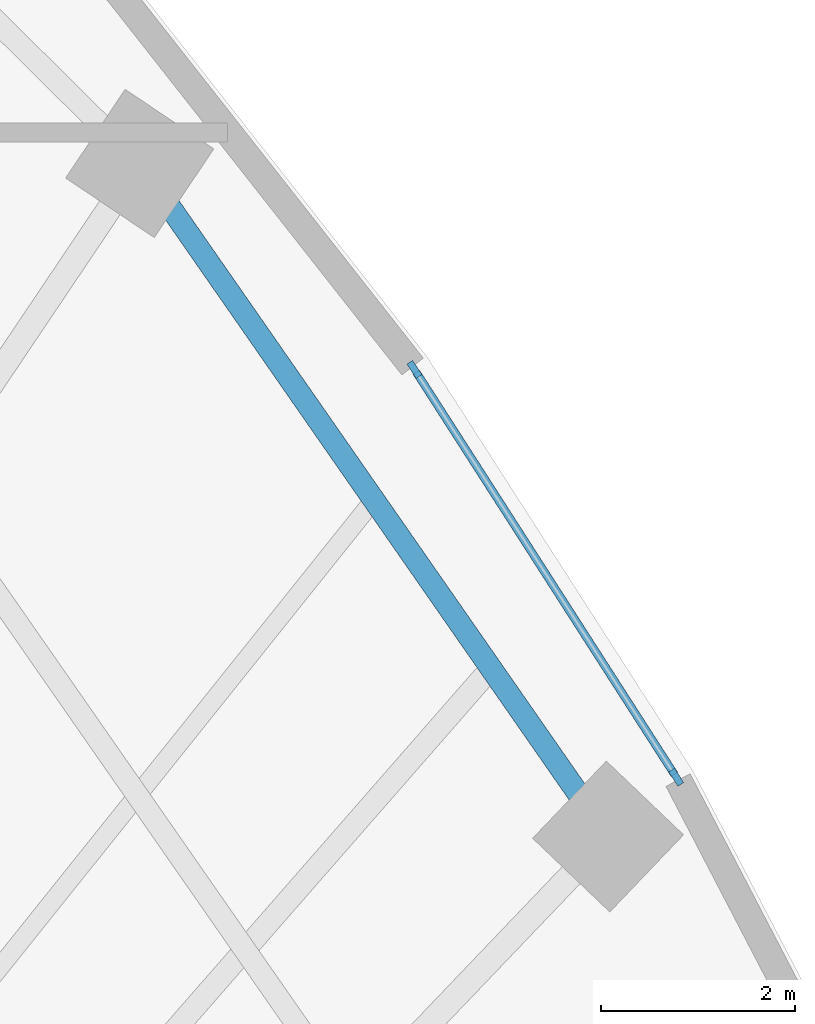
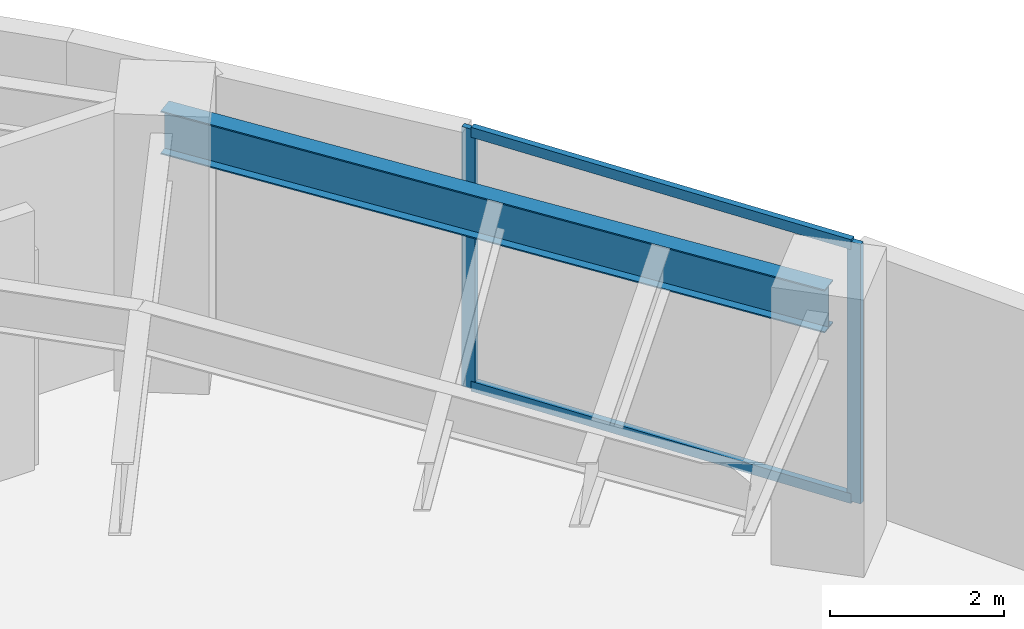
# One storey, part 6 of 13: 4 members, 1 beam, 1 element without a shape of its own.
"""IFC4 building model written with IfcOpenShell, lengths in metres."""

import ifcopenshell
import ifcopenshell.guid

model = None  # the IFC model being written
_history = None  # IfcOwnerHistory: only IFC2X3 demands one
_inside = {}  # id of a spatial element -> (the spatial element, [elements in it])
_under = {}  # id of a project, library or spatial element -> (it, [spatial elements below it])
_declared = {}  # id of a project -> (the project, [libraries it declares])
_typed = {}  # id of a type object -> (the type object, [elements of that type])
_made_of = {}  # id of a material, layer set ... -> (it, [elements and type objects made of it])


def new_model(schema):
    """Start an empty IFC model of exactly this schema.

    Asked for "IFC4X3", IfcOpenShell would pick the latest addendum, in which some entities
    have other attributes; the version numbers below select the first issue.
    IFC2X3 requires an IfcOwnerHistory on every rooted entity: one is made here for all.
    """
    global model, _history
    if schema == "IFC4X3":
        model = ifcopenshell.file(schema_version=(4, 3, 0, 0))
    else:
        model = ifcopenshell.file(schema=schema)
    _inside.clear()
    _under.clear()
    _declared.clear()
    _typed.clear()
    _made_of.clear()
    _history = None
    if model.schema == "IFC2X3":
        org = make("IfcOrganization", Name="unknown")
        user = make(
            "IfcPersonAndOrganization",
            ThePerson=make("IfcPerson", FamilyName="unknown"),
            TheOrganization=org,
        )
        app = make(
            "IfcApplication",
            ApplicationDeveloper=org,
            Version="unknown",
            ApplicationFullName="unknown",
            ApplicationIdentifier="unknown",
        )
        _history = make(
            "IfcOwnerHistory",
            OwningUser=user,
            OwningApplication=app,
            ChangeAction="ADDED",
            CreationDate=0,
        )
    return model


def make(cls, **values):
    """One entity of the class cls with the attributes given. An attribute that is None is left unset."""
    return model.create_entity(
        cls, **{name: value for name, value in values.items() if value is not None}
    )


def rooted(cls, **values):
    """An entity with a GlobalId (a new one), such as an element, a storey or a relation."""
    return make(cls, GlobalId=ifcopenshell.guid.new(), OwnerHistory=_history, **values)


def si_unit(unit_type, name, prefix=None):
    """IfcSIUnit, for example si_unit("LENGTHUNIT", "METRE", prefix="MILLI")."""
    return make("IfcSIUnit", UnitType=unit_type, Prefix=prefix, Name=name)


def assignment(units):
    """IfcUnitAssignment: the units of a project."""
    return None if units is None else make("IfcUnitAssignment", Units=units)


def point(xyz):
    """IfcCartesianPoint."""
    return None if xyz is None else make("IfcCartesianPoint", Coordinates=xyz)


def direction(xyz):
    """IfcDirection."""
    return None if xyz is None else make("IfcDirection", DirectionRatios=xyz)


def frame(location, z_axis=None, x_axis=None):
    """IfcAxis2Placement3D, a coordinate frame: its origin and axes. An axis left out is left unset."""
    return make(
        "IfcAxis2Placement3D",
        Location=point(location),
        Axis=direction(z_axis),
        RefDirection=direction(x_axis),
    )


def frame_2d(location, x_axis=None):
    """IfcAxis2Placement2D, a coordinate frame in the plane: its origin and x axis."""
    return make(
        "IfcAxis2Placement2D", Location=point(location), RefDirection=direction(x_axis)
    )


def origin():
    """The frame at (0, 0, 0) with its axes left unset."""
    return frame((0.0, 0.0, 0.0))


def origin_2d():
    """The frame at (0, 0) in the plane with its x axis left unset."""
    return frame_2d((0.0, 0.0))


def place(relative_to, where):
    """IfcLocalPlacement: puts the frame where relative to a parent placement (None: the world)."""
    return make(
        "IfcLocalPlacement", PlacementRelTo=relative_to, RelativePlacement=where
    )


def context(
    kind, dimensions, precision=None, world=None, true_north=None, identifier=None
):
    """IfcGeometricRepresentationContext, for example the 3D "Model" context."""
    return make(
        "IfcGeometricRepresentationContext",
        ContextIdentifier=identifier,
        ContextType=kind,
        CoordinateSpaceDimension=dimensions,
        Precision=precision,
        WorldCoordinateSystem=world,
        TrueNorth=true_north,
    )


def subcontext(parent, identifier, kind, view, scale=None):
    """IfcGeometricRepresentationSubContext, for example "Body" below "Model"."""
    return make(
        "IfcGeometricRepresentationSubContext",
        ContextIdentifier=identifier,
        ContextType=kind,
        ParentContext=parent,
        TargetScale=scale,
        TargetView=view,
    )


def project(units=None, contexts=None):
    """IfcProject with its units and contexts."""
    return rooted(
        "IfcProject",
        Name="project",
        RepresentationContexts=contexts,
        UnitsInContext=assignment(units),
    )


def spatial(cls, under=None, at=None, **own):
    """A site, building, storey or space (cls), placed at a placement, below another one or the project."""
    s = rooted(cls, ObjectPlacement=at, **own)
    if under is not None:
        _under.setdefault(under.id(), (under, []))[1].append(s)
    return s


def profile(cls, at=None, kind="AREA", **sizes):
    """A parametric profile (cls). Its sizes go by their IFC names, for example OverallWidth=200.0."""
    return make(cls, ProfileType=kind, Position=at, **sizes)


def rectangle(**sizes):
    """IfcRectangleProfileDef."""
    return profile("IfcRectangleProfileDef", **sizes)


def i_section(**sizes):
    """IfcIShapeProfileDef."""
    return profile("IfcIShapeProfileDef", **sizes)


def extrude(swept, where, along, depth):
    """IfcExtrudedAreaSolid: the profile swept, set in the frame where, extruded along a direction by depth."""
    return make(
        "IfcExtrudedAreaSolid",
        SweptArea=swept,
        Position=where,
        ExtrudedDirection=direction(along),
        Depth=depth,
    )


def shape(context_of_items, identifier, shape_type, items):
    """IfcShapeRepresentation: the items that make up one representation, for example the "Body"."""
    return make(
        "IfcShapeRepresentation",
        ContextOfItems=context_of_items,
        RepresentationIdentifier=identifier,
        RepresentationType=shape_type,
        Items=items,
    )


def source(mapping_origin, context_of_items, identifier, shape_type, items):
    """IfcRepresentationMap: a shape defined once, which mapped items show again and again."""
    return make(
        "IfcRepresentationMap",
        MappingOrigin=mapping_origin,
        MappedRepresentation=shape(context_of_items, identifier, shape_type, items),
    )


def transform(
    local_origin,
    x_axis=None,
    y_axis=None,
    z_axis=None,
    scale=None,
    scale2=None,
    scale3=None,
    uniform=True,
):
    """IfcCartesianTransformationOperator3D, or its non-uniform kind. x_axis, y_axis, z_axis: its Axis1, 2, 3."""
    if uniform:
        return make(
            "IfcCartesianTransformationOperator3D",
            Axis1=direction(x_axis),
            Axis2=direction(y_axis),
            LocalOrigin=point(local_origin),
            Scale=scale,
            Axis3=direction(z_axis),
        )
    return make(
        "IfcCartesianTransformationOperator3DnonUniform",
        Axis1=direction(x_axis),
        Axis2=direction(y_axis),
        LocalOrigin=point(local_origin),
        Scale=scale,
        Axis3=direction(z_axis),
        Scale2=scale2,
        Scale3=scale3,
    )


def mapped(mapping_source, mapping_target):
    """IfcMappedItem: shows the shape of a source again, moved by a transform."""
    return make(
        "IfcMappedItem", MappingSource=mapping_source, MappingTarget=mapping_target
    )


def material(Name=None, Category=None):
    """IfcMaterial."""
    return make("IfcMaterial", Name=Name, Category=Category)


def layer(
    of_material, thickness, ventilated=None, Name=None, Category=None, Priority=None
):
    """IfcMaterialLayer: one layer of a wall or slab, of a material (None: an air gap)."""
    return make(
        "IfcMaterialLayer",
        Material=of_material,
        LayerThickness=thickness,
        IsVentilated=ventilated,
        Name=Name,
        Category=Category,
        Priority=Priority,
    )


def layer_set(layers, Name=None):
    """IfcMaterialLayerSet."""
    return make("IfcMaterialLayerSet", MaterialLayers=layers, LayerSetName=Name)


def material_profile(
    of_material, cross_section, Name=None, Category=None, Priority=None
):
    """IfcMaterialProfile: a cross section and its material."""
    return make(
        "IfcMaterialProfile",
        Name=Name,
        Material=of_material,
        Profile=cross_section,
        Priority=Priority,
        Category=Category,
    )


def profile_set(profiles, Name=None, composite=None):
    """IfcMaterialProfileSet."""
    return make(
        "IfcMaterialProfileSet",
        Name=Name,
        MaterialProfiles=profiles,
        CompositeProfile=composite,
    )


def made_of(thing, what):
    """Note that an element or type object is made of a material, layer set ...; save() writes the relation."""
    if what is not None:
        _made_of.setdefault(what.id(), (what, []))[1].append(thing)
    return thing


def type_object(cls, material=None, **own):
    """A type object (cls), such as IfcWallType, which elements share."""
    return made_of(rooted(cls, **own), material)


def element(
    cls,
    number,
    at=None,
    inside=None,
    cuts=None,
    type_object=None,
    material=None,
    context=None,
    identifier="Body",
    shape_type=None,
    held_by="IfcProductDefinitionShape",
    body=None,
    shapes=None,
    **own,
):
    """One element of the class cls, such as IfcWall. Its Tag is "e" and its number.

    at: its placement. inside: the storey or other place that contains it. cuts: it is an
    opening in that element (IfcRelVoidsElement). A single representation is given by context,
    identifier, shape_type and body (its items); several are given by shapes. held_by: the class
    of the entity that holds the representations. save() writes the other relations.
    """
    e = rooted(cls, Tag="e%d" % number, ObjectPlacement=at, **own)
    if body is not None:
        shapes = [shape(context, identifier, shape_type, body)]
    if shapes is not None:
        e.Representation = make(held_by, Representations=shapes)
    if inside is not None:
        _inside.setdefault(inside.id(), (inside, []))[1].append(e)
    if cuts is not None:
        rooted(
            "IfcRelVoidsElement", RelatingBuildingElement=cuts, RelatedOpeningElement=e
        )
    if type_object is not None:
        _typed.setdefault(type_object.id(), (type_object, []))[1].append(e)
    return made_of(e, material)


def aggregate(whole, parts):
    """IfcRelAggregates: a whole, such as a stair, and the parts it consists of."""
    return rooted("IfcRelAggregates", RelatingObject=whole, RelatedObjects=parts)


def save(model, path):
    """Write the relations noted so far, then the file.

    IfcRelAggregates (storeys below a building ...), IfcRelContainedInSpatialStructure (elements
    in a storey), IfcRelDefinesByType, IfcRelAssociatesMaterial and IfcRelDeclares: one each for
    every whole, place, type object, material and project.
    """
    for whole, parts in _under.values():
        aggregate(whole, parts)
    for where, things in _inside.values():
        rooted(
            "IfcRelContainedInSpatialStructure",
            RelatedElements=things,
            RelatingStructure=where,
        )
    for kind, things in _typed.values():
        rooted("IfcRelDefinesByType", RelatedObjects=things, RelatingType=kind)
    for what, things in _made_of.values():
        rooted("IfcRelAssociatesMaterial", RelatedObjects=things, RelatingMaterial=what)
    for by, libraries in _declared.values():
        rooted("IfcRelDeclares", RelatingContext=by, RelatedDefinitions=libraries)
    model.write(path)


model = new_model("IFC4")

# Units and contexts
model_context = context("Model", 3, precision=1e-05, world=origin(), true_north=direction((0.0, 1.0)))
body_context = subcontext(model_context, "Body", "Model", "MODEL_VIEW")
ifc_project = project(units=[si_unit("LENGTHUNIT", "METRE"), si_unit("AREAUNIT", "SQUARE_METRE"), si_unit("VOLUMEUNIT", "CUBIC_METRE"), si_unit("PLANEANGLEUNIT", "RADIAN"), si_unit("MASSUNIT", "GRAM", prefix="KILO")], contexts=[model_context])

# Site, building, storey
site_placement = place(None, origin())
site = spatial("IfcSite", under=ifc_project, at=site_placement, CompositionType="ELEMENT")
building_placement = place(site_placement, origin())
building = spatial("IfcBuilding", under=site, at=building_placement, Name="Breltana Convention Tower", CompositionType="ELEMENT")
storey_placement = place(building_placement, frame((0.0, 0.0, 154.5)))
storey = spatial("IfcBuildingStorey", under=building, at=storey_placement, Name="L37", CompositionType="ELEMENT", Elevation=154.5)

# Beam
ifc_material_1 = material(Name="Steel ASTM A992 Grade 50", Category="steel")
ifc_material_profile_1 = material_profile(ifc_material_1, i_section(OverallWidth=0.22802734375, OverallDepth=0.60791015625, WebThickness=0.01123046875, FlangeThickness=0.017333984375, at=origin_2d()), Name="W24X76")
ifc_profile_set_1 = profile_set([ifc_material_profile_1], Name="Steel ASTM A992 Grade 50")
beam_type = type_object("IfcBeamType", Name="BM-SP-W24X76", PredefinedType="SPANDREL", material=ifc_profile_set_1)
shared_shape_1 = source(origin(), body_context, "Body", "SweptSolid", [
    extrude(i_section(OverallWidth=0.22802734375, OverallDepth=0.60791015625, WebThickness=0.01123046875, FlangeThickness=0.017333984375, at=origin_2d()), origin(), (0.0, 0.0, 1.0), 8.44970703125),
])
beam_placement = place(storey_placement, frame((75.166748046875, 62.43017578125, 3.345947265625), z_axis=(0.5711855381, -0.820820979913, 0.0), x_axis=(0.820820979913, 0.5711855381, 0.0)))
element("IfcBeam", 1, at=beam_placement, inside=storey, type_object=beam_type, Name="L37 Outer Spandrel Beam 10", PredefinedType="SPANDREL", context=body_context, shape_type="MappedRepresentation", body=[
    mapped(shared_shape_1, transform((0.0, 0.0, 0.0), scale=1.0)),
])

# Curtain wall, members
ifc_material_2 = material(Name="Aluminium Anodised Bronze Frame", Category="aluminium")
ifc_layer = layer(ifc_material_2, 0.2099609375, Name="Aluminium Anodised Bronze Frame")
ifc_layer_set = layer_set([ifc_layer], Name="Aluminium Anodised Bronze Frame")
curtain_wall_type = type_object("IfcCurtainWallType", Name="CW-SYS-3", PredefinedType="NOTDEFINED", material=ifc_layer_set)
curtain_wall_placement = place(storey_placement, origin())
curtain_wall = element("IfcCurtainWall", 2, at=curtain_wall_placement, inside=storey, type_object=curtain_wall_type, Name="L37 outer double-skin inner glazing 5", PredefinedType="NOTDEFINED")
ifc_material_3 = material(Name="Aluminium Anodised Bronze", Category="aluminium")
ifc_material_profile_2 = material_profile(ifc_material_3, rectangle(XDim=0.070068359375, YDim=0.175048828125, at=origin_2d()), Name="CWM-70X175")
ifc_profile_set_2 = profile_set([ifc_material_profile_2], Name="Aluminium Anodised Bronze")
member_type_1 = type_object("IfcMemberType", Name="CWM-175", PredefinedType="MULLION", material=ifc_profile_set_2)
shared_shape_2 = source(origin(), body_context, "Body", "SweptSolid", [
    extrude(rectangle(XDim=0.070068359375, YDim=0.175048828125, at=origin_2d()), origin(), (0.0, 0.0, 1.0), 3.64990234375),
])
member_1_placement = place(storey_placement, frame((77.99755859375, 60.308349609375, 0.0), z_axis=(0.0, 0.0, 1.0), x_axis=(0.841554203529, 0.54017267843, 0.0)))
member_1 = element("IfcMember", 3, at=member_1_placement, type_object=member_type_1, Name="CW-03 mullion 1", PredefinedType="MULLION", context=body_context, shape_type="MappedRepresentation", body=[
    mapped(shared_shape_2, transform((0.0, 0.0, 0.0), scale=1.0)),
])
member_2_placement = place(storey_placement, frame((80.695556640625, 56.10498046875, 0.0), z_axis=(0.0, 0.0, 1.0), x_axis=(0.841554203529, 0.54017267843, 0.0)))
member_2 = element("IfcMember", 4, at=member_2_placement, type_object=member_type_1, Name="CW-03 mullion 2", PredefinedType="MULLION", context=body_context, shape_type="MappedRepresentation", body=[
    mapped(shared_shape_2, transform((0.0, 0.0, 0.0), scale=1.0)),
])
ifc_material_profile_3 = material_profile(ifc_material_3, rectangle(XDim=0.080078125, YDim=0.139892578125, at=origin_2d()), Name="CWT-80X140")
ifc_profile_set_3 = profile_set([ifc_material_profile_3], Name="Aluminium Anodised Bronze")
member_type_2 = type_object("IfcMemberType", Name="CWT-140", PredefinedType="USERDEFINED", material=ifc_profile_set_3)
shared_shape_3 = source(origin(), body_context, "Body", "SweptSolid", [
    extrude(rectangle(XDim=0.080078125, YDim=0.139892578125, at=origin_2d()), origin(), (0.0, 0.0, 1.0), 4.924560546875),
])
member_3_placement = place(storey_placement, frame((78.0166015625, 60.27880859375, 0.0400390625), z_axis=(0.540178660563, -0.841550363717, 0.0), x_axis=(0.841550363717, 0.540178660563, 0.0)))
member_3 = element("IfcMember", 5, at=member_3_placement, type_object=member_type_2, Name="CW-03 transom 1.1", ObjectType="TRANSOM", PredefinedType="USERDEFINED", context=body_context, shape_type="MappedRepresentation", body=[
    mapped(shared_shape_3, transform((0.0, 0.0, 0.0), scale=1.0)),
])
member_4_placement = place(storey_placement, frame((78.0166015625, 60.27880859375, 3.610107421875), z_axis=(0.540178660563, -0.841550363717, 0.0), x_axis=(0.841550363717, 0.540178660563, 0.0)))
member_4 = element("IfcMember", 6, at=member_4_placement, type_object=member_type_2, Name="CW-03 transom 1.2", ObjectType="TRANSOM", PredefinedType="USERDEFINED", context=body_context, shape_type="MappedRepresentation", body=[
    mapped(shared_shape_3, transform((0.0, 0.0, 0.0), scale=1.0)),
])
aggregate(curtain_wall, [member_1, member_2, member_3, member_4])

save(model, "model.ifc")
